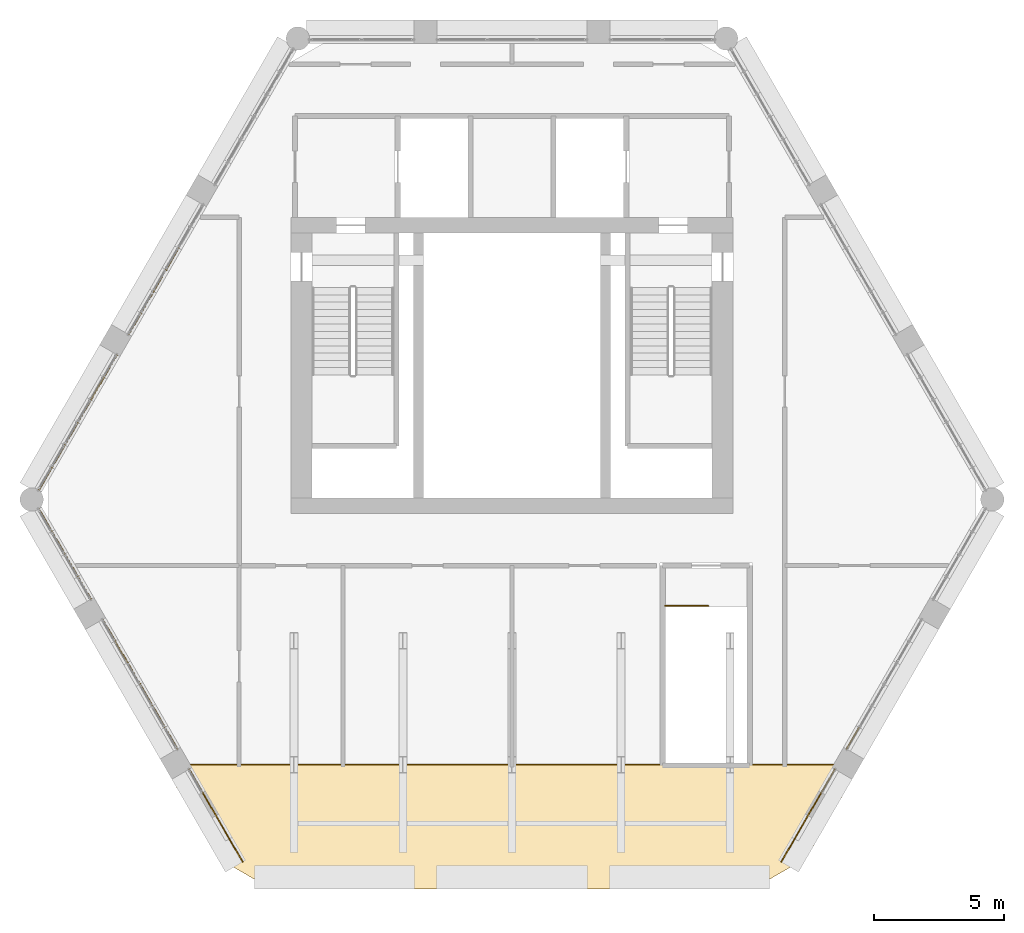
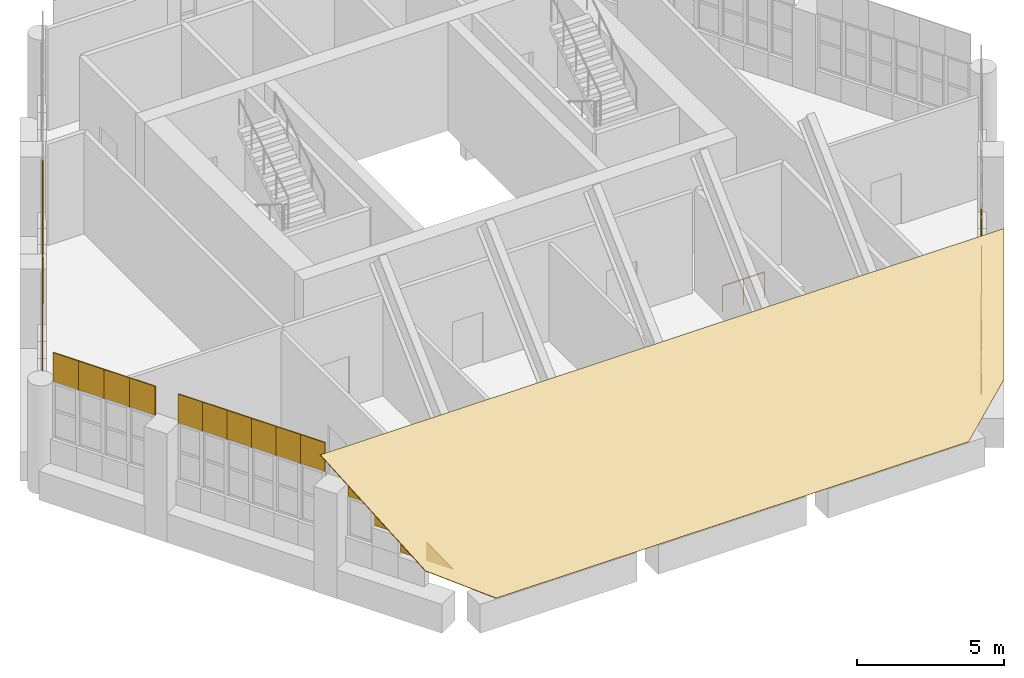
# One storey, part 23 of 25: 30 coverings, 1 railing.
"""IFC4 building model written with IfcOpenShell, lengths in metres."""

from ifc_helpers import new_model, si_unit, direction, frame, origin, origin_2d, place, context, subcontext, project, spatial, polyline, circle, outline, extrude, material, layer, layer_set, type_object, element, save


model = new_model("IFC4")

# Units and contexts
model_context = context("Model", 3, precision=1e-05, world=origin(), true_north=direction((0.0, 1.0)))
body_context = subcontext(model_context, "Body", "Model", "MODEL_VIEW")
ifc_project = project(units=[si_unit("LENGTHUNIT", "METRE"), si_unit("AREAUNIT", "SQUARE_METRE"), si_unit("VOLUMEUNIT", "CUBIC_METRE"), si_unit("PLANEANGLEUNIT", "RADIAN"), si_unit("MASSUNIT", "GRAM", prefix="KILO")], contexts=[model_context])

# Site, building, storey
site_placement = place(None, origin())
site = spatial("IfcSite", under=ifc_project, at=site_placement, CompositionType="ELEMENT")
building_placement = place(site_placement, origin())
building = spatial("IfcBuilding", under=site, at=building_placement, Name="Ostrander Bayou Hotel Tower", CompositionType="ELEMENT")
storey_placement = place(building_placement, frame((0.0, 0.0, 275.0)))
storey = spatial("IfcBuildingStorey", under=building, at=storey_placement, Name="L68", CompositionType="ELEMENT", Elevation=275.0)

# Coverings
ifc_material_1 = material(Name="Reconstituted stone panels", Category="masonry")
ifc_layer = layer(ifc_material_1, 0.0400390625)
ifc_layer_set = layer_set([ifc_layer], Name="CV3 crown cladding 40 mm")
covering_type = type_object("IfcCoveringType", Name="CV3 crown cladding 40 mm", PredefinedType="CLADDING", material=ifc_layer_set)
covering_1_placement = place(storey_placement, frame((11.3486328125, -14.943603515625, 1.17041015625), z_axis=(0.0, -0.685641156874, 0.727939698052), x_axis=(-0.783468441006, -0.452364712797, -0.426079063748)))
element("IfcCovering", 1, at=covering_1_placement, inside=storey, type_object=covering_type, Name="CV3 crown cladding L68", PredefinedType="CLADDING", context=body_context, shape_type="SweptSolid", body=[
    extrude(outline(polyline([(0.0, 0.0), (2.6527796549880382, -1.1102230246251565e-16), (17.178697708418582, -11.521669101712737), (17.78259131431001, -14.104797517158222), (16.34685663173521, -19.2389535076628), (-4.672515190069358, -2.566806111133704), (0.0, 0.0)])), origin(), (0.0, 0.0, -1.0), 0.0400390625),
])
covering_2_placement = place(storey_placement, frame((-12.851318359375, 8.528076171875, 3.300048828125), z_axis=(-0.866011930837, 0.500023335103, 0.0), x_axis=(-0.500023335103, -0.866011930837, 0.0)))
element("IfcCovering", 2, at=covering_2_placement, inside=storey, type_object=covering_type, Name="CV3 crown fascia L68", PredefinedType="CLADDING", context=body_context, shape_type="SweptSolid", body=[
    extrude(outline(polyline([(0.0, 0.0), (0.9599161380159561, 0.0), (0.9599161380159561, 1.199951171875), (0.0, 1.199951171875), (0.0, 0.0)])), origin(), (0.0, 0.0, -1.0), 0.0400390625),
])
covering_3_placement = place(storey_placement, frame((-13.331298828125, 7.69677734375, 3.300048828125), z_axis=(-0.866122057702, 0.499832553123, 0.0), x_axis=(-0.499832553123, -0.866122057702, 0.0)))
element("IfcCovering", 3, at=covering_3_placement, inside=storey, type_object=covering_type, Name="CV3 crown fascia L68", PredefinedType="CLADDING", context=body_context, shape_type="SweptSolid", body=[
    extrude(outline(polyline([(0.0, 0.0), (0.9597940852937448, 0.0), (0.9597940852937448, 1.199951171875), (0.0, 1.199951171875), (0.0, 0.0)])), origin(), (0.0, 0.0, -1.0), 0.0400390625),
])
covering_4_placement = place(storey_placement, frame((-13.81103515625, 6.865478515625, 3.300048828125), z_axis=(-0.866011930837, 0.500023335103, 0.0), x_axis=(-0.500023335103, -0.866011930837, 0.0)))
element("IfcCovering", 4, at=covering_4_placement, inside=storey, type_object=covering_type, Name="CV3 crown fascia L68", PredefinedType="CLADDING", context=body_context, shape_type="SweptSolid", body=[
    extrude(outline(polyline([(0.0, 0.0), (0.9599161380159561, 0.0), (0.9599161380159561, 1.199951171875), (0.0, 1.199951171875), (0.0, 0.0)])), origin(), (0.0, 0.0, -1.0), 0.0400390625),
])
covering_5_placement = place(storey_placement, frame((-14.291015625, 6.0341796875, 3.300048828125), z_axis=(-0.865948320045, 0.500133489192, 0.0), x_axis=(-0.500133489192, -0.865948320045, 0.0)))
element("IfcCovering", 5, at=covering_5_placement, inside=storey, type_object=covering_type, Name="CV3 crown fascia L68", PredefinedType="CLADDING", context=body_context, shape_type="SweptSolid", body=[
    extrude(outline(polyline([(0.0, 0.0), (0.9597047170860381, 0.0), (0.9597047170860381, 1.199951171875), (0.0, 1.199951171875), (0.0, 0.0)])), origin(), (0.0, 0.0, -1.0), 0.0400390625),
])
covering_6_placement = place(storey_placement, frame((-15.220947265625, 4.423583984375, 3.300048828125), z_axis=(-0.866047774678, 0.499961250474, 0.0), x_axis=(-0.499961250474, -0.866047774678, 0.0)))
element("IfcCovering", 6, at=covering_6_placement, inside=storey, type_object=covering_type, Name="CV3 crown fascia L68", PredefinedType="CLADDING", context=body_context, shape_type="SweptSolid", body=[
    extrude(outline(polyline([(0.0, 0.0), (1.0030074196233945, 0.0), (1.0030074196233945, 1.199951171875), (0.0, 1.199951171875), (0.0, 0.0)])), origin(), (0.0, 0.0, -1.0), 0.0400390625),
])
covering_7_placement = place(storey_placement, frame((-15.722412109375, 3.554931640625, 3.300048828125), z_axis=(-0.865942374699, 0.500143783026, 0.0), x_axis=(-0.500143783026, -0.865942374699, 0.0)))
element("IfcCovering", 7, at=covering_7_placement, inside=storey, type_object=covering_type, Name="CV3 crown fascia L68", PredefinedType="CLADDING", context=body_context, shape_type="SweptSolid", body=[
    extrude(outline(polyline([(0.0, 0.0), (1.0031295027587228, 0.0), (1.0031295027587228, 1.1999511718750002), (0.0, 1.1999511718750002), (0.0, 0.0)])), origin(), (0.0, 0.0, -1.0), 0.0400390625),
])
for number, where, z_axis, x_axis, name in (
    (8, (-16.22412109375, 2.686279296875, 3.300048828125), (-0.866047774678, 0.499961250474, 0.0), (-0.499961250474, -0.866047774678, 0.0), "CV3 crown fascia L68"),
    (9, (-16.7255859375, 1.817626953125, 3.300048828125), (-0.866047774678, 0.499961250474, 0.0), (-0.499961250474, -0.866047774678, 0.0), "CV3 crown fascia L68"),
    (10, (-17.22705078125, 0.948974609375, 3.300048828125), (-0.866047774678, 0.499961250474, 0.0), (-0.499961250474, -0.866047774678, 0.0), "CV3 crown fascia L68"),
    (11, (-17.728515625, 0.080322265625, 3.300048828125), (-0.866047774678, 0.499961250474, 0.0), (-0.499961250474, -0.866047774678, 0.0), "CV3 crown fascia L68"),
):
    element("IfcCovering", number, at=place(storey_placement, frame(where, z_axis=z_axis, x_axis=x_axis)), inside=storey, type_object=covering_type, Name=name, PredefinedType="CLADDING", context=body_context, shape_type="SweptSolid", body=[
        extrude(outline(polyline([(0.0, 0.0), (1.0030074196233945, 0.0), (1.0030074196233945, 1.199951171875), (0.0, 1.199951171875), (0.0, 0.0)])), origin(), (0.0, 0.0, -1.0), 0.0400390625),
    ])
covering_8_placement = place(storey_placement, frame((-18.22998046875, -1.524658203125, 3.300048828125), z_axis=(-0.866019539041, -0.500010157896, 0.0), x_axis=(0.500010157896, -0.866019539041, 0.0)))
element("IfcCovering", 12, at=covering_8_placement, inside=storey, type_object=covering_type, Name="CV3 crown fascia L68", PredefinedType="CLADDING", context=body_context, shape_type="SweptSolid", body=[
    extrude(outline(polyline([(0.0, 0.0), (1.0038858552634866, 0.0), (1.0038858552634866, 1.199951171875), (0.0, 1.199951171875), (0.0, 0.0)])), origin(), (0.0, 0.0, -1.0), 0.0400390625),
])
covering_9_placement = place(storey_placement, frame((-17.72802734375, -2.39404296875, 3.300048828125), z_axis=(-0.866064057238, -0.499933044277, 0.0), x_axis=(0.499933044277, -0.866064057238, 0.0)))
element("IfcCovering", 13, at=covering_9_placement, inside=storey, type_object=covering_type, Name="CV3 crown fascia L68", PredefinedType="CLADDING", context=body_context, shape_type="SweptSolid", body=[
    extrude(outline(polyline([(0.0, 0.0), (1.0035523558977801, 0.0), (1.0035523558977801, 1.199951171875), (0.0, 1.199951171875), (0.0, 0.0)])), origin(), (0.0, 0.0, -1.0), 0.0400390625),
])
covering_10_placement = place(storey_placement, frame((-17.226318359375, -3.26318359375, 3.300048828125), z_axis=(-0.866080321209, -0.499904868165, 0.0), x_axis=(0.499904868165, -0.866080321209, 0.0)))
element("IfcCovering", 14, at=covering_10_placement, inside=storey, type_object=covering_type, Name="CV3 crown fascia L68", PredefinedType="CLADDING", context=body_context, shape_type="SweptSolid", body=[
    extrude(outline(polyline([(0.0, 0.0), (1.0040972932354897, 0.0), (1.0040972932354897, 1.199951171875), (0.0, 1.199951171875), (0.0, 0.0)])), origin(), (0.0, 0.0, -1.0), 0.0400390625),
])
covering_11_placement = place(storey_placement, frame((-16.724365234375, -4.1328125, 3.300048828125), z_axis=(-0.865958718457, -0.500115484592, 0.0), x_axis=(0.500115484592, -0.865958718457, 0.0)))
element("IfcCovering", 15, at=covering_11_placement, inside=storey, type_object=covering_type, Name="CV3 crown fascia L68", PredefinedType="CLADDING", context=body_context, shape_type="SweptSolid", body=[
    extrude(outline(polyline([(0.0, 0.0), (1.0036744321355686, 0.0), (1.0036744321355686, 1.199951171875), (0.0, 1.199951171875), (0.0, 0.0)])), origin(), (0.0, 0.0, -1.0), 0.0400390625),
])
covering_12_placement = place(storey_placement, frame((-15.7724609375, -5.781494140625, 3.300048828125), z_axis=(-0.865948320045, -0.500133489192, 0.0), x_axis=(0.500133489192, -0.865948320045, 0.0)))
element("IfcCovering", 16, at=covering_12_placement, inside=storey, type_object=covering_type, Name="CV3 crown fascia L68", PredefinedType="CLADDING", context=body_context, shape_type="SweptSolid", body=[
    extrude(outline(polyline([(0.0, 0.0), (0.9597047170860381, 0.0), (0.9597047170860381, 1.199951171875), (0.0, 1.199951171875), (0.0, 0.0)])), origin(), (0.0, 0.0, -1.0), 0.0400390625),
])
covering_13_placement = place(storey_placement, frame((-15.29248046875, -6.612548828125, 3.300048828125), z_axis=(-0.866011930837, -0.500023335103, 0.0), x_axis=(0.500023335103, -0.866011930837, 0.0)))
element("IfcCovering", 17, at=covering_13_placement, inside=storey, type_object=covering_type, Name="CV3 crown fascia L68", PredefinedType="CLADDING", context=body_context, shape_type="SweptSolid", body=[
    extrude(outline(polyline([(0.0, 0.0), (0.9599161380159561, 0.0), (0.9599161380159561, 1.199951171875), (0.0, 1.199951171875), (0.0, 0.0)])), origin(), (0.0, 0.0, -1.0), 0.0400390625),
])
covering_14_placement = place(storey_placement, frame((-14.8125, -7.44384765625, 3.300048828125), z_axis=(-0.866058487353, -0.499942693199, 0.0), x_axis=(0.499942693199, -0.866058487353, 0.0)))
element("IfcCovering", 18, at=covering_14_placement, inside=storey, type_object=covering_type, Name="CV3 crown fascia L68", PredefinedType="CLADDING", context=body_context, shape_type="SweptSolid", body=[
    extrude(outline(polyline([(0.0, 0.0), (0.9595826374724483, 0.0), (0.9595826374724483, 1.199951171875), (0.0, 1.199951171875), (0.0, 0.0)])), origin(), (0.0, 0.0, -1.0), 0.0400390625),
])
for number, where, z_axis, x_axis, name in (
    (19, (-14.332763671875, -8.27490234375, 3.300048828125), (-0.866011930837, -0.500023335103, 0.0), (0.500023335103, -0.866011930837, 0.0), "CV3 crown fascia L68"),
    (20, (-13.852783203125, -9.106201171875, 3.300048828125), (-0.866011930837, -0.500023335103, 0.0), (0.500023335103, -0.866011930837, 0.0), "CV3 crown fascia L68"),
):
    element("IfcCovering", number, at=place(storey_placement, frame(where, z_axis=z_axis, x_axis=x_axis)), inside=storey, type_object=covering_type, Name=name, PredefinedType="CLADDING", context=body_context, shape_type="SweptSolid", body=[
        extrude(outline(polyline([(0.0, 0.0), (0.9599161380159561, 0.0), (0.9599161380159561, 1.199951171875), (0.0, 1.199951171875), (0.0, 0.0)])), origin(), (0.0, 0.0, -1.0), 0.0400390625),
    ])
covering_15_placement = place(storey_placement, frame((-13.372802734375, -9.9375, 3.300048828125), z_axis=(-0.866058487353, -0.499942693199, 0.0), x_axis=(0.499942693199, -0.866058487353, 0.0)))
element("IfcCovering", 21, at=covering_15_placement, inside=storey, type_object=covering_type, Name="CV3 crown fascia L68", PredefinedType="CLADDING", context=body_context, shape_type="SweptSolid", body=[
    extrude(outline(polyline([(0.0, 0.0), (0.9595826374724483, 0.0), (0.9595826374724483, 1.199951171875), (0.0, 1.199951171875), (0.0, 0.0)])), origin(), (0.0, 0.0, -1.0), 0.0400390625),
])
covering_16_placement = place(storey_placement, frame((-12.443115234375, -11.548095703125, 2.5869140625), z_axis=(-0.86597668367, -0.500084376221, 0.0), x_axis=(0.500084376221, -0.86597668367, 0.0)))
element("IfcCovering", 22, at=covering_16_placement, inside=storey, type_object=covering_type, Name="CV3 crown fascia L68", PredefinedType="CLADDING", context=body_context, shape_type="SweptSolid", body=[
    extrude(outline(polyline([(0.0, 0.0), (1.0315642022711373, 0.0), (1.0315642022711373, 0.8500976562500002), (0.0, 1.6914062500000004), (0.0, 0.0)])), origin(), (0.0, 0.0, -1.0), 0.0400390625),
])
covering_17_placement = place(storey_placement, frame((-11.92724609375, -12.44140625, 1.74560546875), z_axis=(-0.86597668367, -0.500084376221, 0.0), x_axis=(0.500084376221, -0.86597668367, 0.0)))
element("IfcCovering", 23, at=covering_17_placement, inside=storey, type_object=covering_type, Name="CV3 crown fascia L68", PredefinedType="CLADDING", context=body_context, shape_type="SweptSolid", body=[
    extrude(outline(polyline([(0.0, 0.0), (1.0315642022711373, 0.0), (1.0315642022711373, 0.849853515625), (0.0, 1.69140625), (0.0, 0.0)])), origin(), (0.0, 0.0, -1.0), 0.0400390625),
])
covering_18_placement = place(storey_placement, frame((-11.411376953125, -13.334716796875, 1.0), z_axis=(-0.866035853028, -0.499981900942, 0.0), x_axis=(0.499981900942, -0.866035853028, 0.0)))
element("IfcCovering", 24, at=covering_18_placement, inside=storey, type_object=covering_type, Name="CV3 crown fascia L68", PredefinedType="CLADDING", context=body_context, shape_type="SweptSolid", body=[
    extrude(outline(polyline([(0.0, 0.0), (1.031775629583486, 0.0), (1.031775629583486, 0.75390625), (0.0, 1.595458984375), (0.0, 0.0)])), origin(), (0.0, 0.0, -1.0), 0.0400390625),
])
covering_19_placement = place(storey_placement, frame((-10.8955078125, -14.228271484375, 1.0), z_axis=(-0.866079170388, -0.499906861946, 0.0), x_axis=(0.499906861946, -0.866079170388, 0.0)))
element("IfcCovering", 25, at=covering_19_placement, inside=storey, type_object=covering_type, Name="CV3 crown fascia L68", PredefinedType="CLADDING", context=body_context, shape_type="SweptSolid", body=[
    extrude(outline(polyline([(0.0, 0.0), (1.0314421330269146, 0.0), (0.0, 0.75390625), (0.0, 0.0)])), origin(), (0.0, 0.0, -1.0), 0.0400390625),
])
covering_20_placement = place(storey_placement, frame((10.3798828125, -15.12158203125, 1.0), z_axis=(0.866079170388, -0.499906861946, 0.0), x_axis=(0.499906861946, 0.866079170388, 0.0)))
element("IfcCovering", 26, at=covering_20_placement, inside=storey, type_object=covering_type, Name="CV3 crown fascia L68", PredefinedType="CLADDING", context=body_context, shape_type="SweptSolid", body=[
    extrude(outline(polyline([(0.0, 0.0), (1.0314421330269146, 0.0), (1.0314421330269146, 0.75390625), (0.0, 0.0), (0.0, 0.0)])), origin(), (0.0, 0.0, -1.0), 0.0400390625),
])
covering_21_placement = place(storey_placement, frame((10.8955078125, -14.228271484375, 1.0), z_axis=(0.866035853028, -0.499981900942, 0.0), x_axis=(0.499981900942, 0.866035853028, 0.0)))
element("IfcCovering", 27, at=covering_21_placement, inside=storey, type_object=covering_type, Name="CV3 crown fascia L68", PredefinedType="CLADDING", context=body_context, shape_type="SweptSolid", body=[
    extrude(outline(polyline([(0.0, 0.0), (1.031775629583486, 0.0), (1.031775629583486, 1.595458984375), (0.0, 0.75390625), (0.0, 0.0)])), origin(), (0.0, 0.0, -1.0), 0.0400390625),
])
covering_22_placement = place(storey_placement, frame((11.411376953125, -13.334716796875, 1.74560546875), z_axis=(0.86597668367, -0.500084376221, 0.0), x_axis=(0.500084376221, 0.86597668367, 0.0)))
element("IfcCovering", 28, at=covering_22_placement, inside=storey, type_object=covering_type, Name="CV3 crown fascia L68", PredefinedType="CLADDING", context=body_context, shape_type="SweptSolid", body=[
    extrude(outline(polyline([(0.0, 0.0), (1.0315642022711373, 0.0), (1.0315642022711373, 1.69140625), (0.0, 0.849853515625), (0.0, 0.0)])), origin(), (0.0, 0.0, -1.0), 0.0400390625),
])
covering_23_placement = place(storey_placement, frame((11.92724609375, -12.44140625, 2.5869140625), z_axis=(0.86597668367, -0.500084376221, 0.0), x_axis=(0.500084376221, 0.86597668367, 0.0)))
element("IfcCovering", 29, at=covering_23_placement, inside=storey, type_object=covering_type, Name="CV3 crown fascia L68", PredefinedType="CLADDING", context=body_context, shape_type="SweptSolid", body=[
    extrude(outline(polyline([(0.0, 0.0), (1.0315642022711373, 0.0), (1.0315642022711373, 1.6914062500000004), (0.0, 0.8500976562500002), (0.0, 0.0)])), origin(), (0.0, 0.0, -1.0), 0.0400390625),
])
covering_24_placement = place(storey_placement, frame((12.89306640625, -10.7685546875, 3.300048828125), z_axis=(0.866058487353, -0.499942693199, 0.0), x_axis=(0.499942693199, 0.866058487353, 0.0)))
element("IfcCovering", 30, at=covering_24_placement, inside=storey, type_object=covering_type, Name="CV3 crown fascia L68", PredefinedType="CLADDING", context=body_context, shape_type="SweptSolid", body=[
    extrude(outline(polyline([(0.0, 0.0), (0.9595826374724483, 0.0), (0.9595826374724483, 1.199951171875), (0.0, 1.199951171875), (0.0, 0.0)])), origin(), (0.0, 0.0, -1.0), 0.0400390625),
])

# Railing
ifc_material_2 = material(Name="Steel ASTM A500 Gr C", Category="steel")
railing_type = type_object("IfcRailingType", Name="GR1 stair guard 1100 mm steel", PredefinedType="GUARDRAIL", material=ifc_material_2)
railing_placement = place(storey_placement, frame((5.89990234375, -5.25, 0.0)))
element("IfcRailing", 31, at=railing_placement, inside=storey, type_object=railing_type, Name="L68 STC top well guard 1", PredefinedType="GUARDRAIL", context=body_context, shape_type="SweptSolid", body=[
    extrude(circle(Radius=0.02392578125, at=origin_2d()), frame((0.0, 0.0, 1.076171875), z_axis=(1.0, 0.0, 0.0), x_axis=(0.0, 1.0, 0.0)), (0.0, 0.0, 1.0), 1.650146484375),
    extrude(circle(Radius=0.02099609375, at=origin_2d()), origin(), (0.0, 0.0, 1.0), 1.052001953125),
    extrude(circle(Radius=0.02099609375, at=origin_2d()), frame((0.8251953125, 0.0, 0.0)), (0.0, 0.0, 1.0), 1.052001953125),
    extrude(circle(Radius=0.02099609375, at=origin_2d()), frame((1.650146484375, 0.0, 0.0)), (0.0, 0.0, 1.0), 1.052001953125),
])

save(model, "model.ifc")
